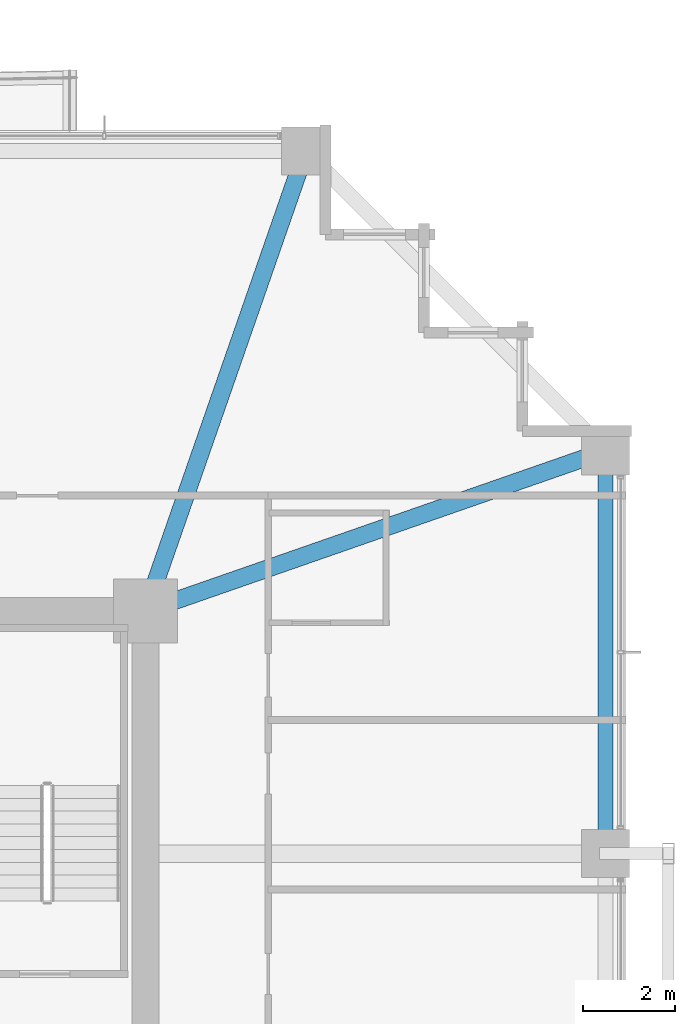
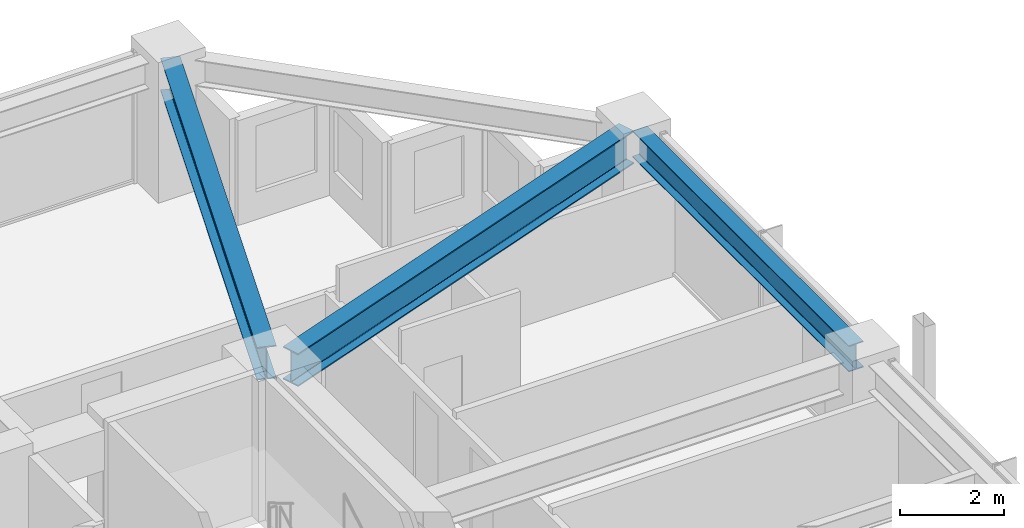
# One storey, part 24 of 38: 3 beams.
"""IFC4 building model written with IfcOpenShell, lengths in metres."""

from ifc_helpers import new_model, si_unit, direction, frame, origin, origin_2d, place, context, subcontext, project, spatial, i_section, extrude, material, material_profile, profile_set, type_object, element, save


model = new_model("IFC4")

# Units and contexts
model_context = context("Model", 3, precision=1e-05, world=origin(), true_north=direction((0.0, 1.0)))
body_context = subcontext(model_context, "Body", "Model", "MODEL_VIEW")
ifc_project = project(units=[si_unit("LENGTHUNIT", "METRE"), si_unit("AREAUNIT", "SQUARE_METRE"), si_unit("VOLUMEUNIT", "CUBIC_METRE"), si_unit("PLANEANGLEUNIT", "RADIAN"), si_unit("MASSUNIT", "GRAM", prefix="KILO")], contexts=[model_context])

# Site, building, storey
site_placement = place(None, origin())
site = spatial("IfcSite", under=ifc_project, at=site_placement, CompositionType="ELEMENT")
building_placement = place(site_placement, origin())
building = spatial("IfcBuilding", under=site, at=building_placement, Name="Kolvaren Belvedere", CompositionType="ELEMENT")
storey_placement = place(building_placement, frame((0.0, 0.0, 72.199951171875)))
storey = spatial("IfcBuildingStorey", under=building, at=storey_placement, Name="L20", CompositionType="ELEMENT", Elevation=72.199951171875)

# Beams
ifc_material_1 = material(Name="Structural steel ASTM A992 Grade 50", Category="steel")
ifc_material_profile_1 = material_profile(ifc_material_1, i_section(OverallWidth=0.381103515625, OverallDepth=0.77294921875, WebThickness=0.0166015625, FlangeThickness=0.027099609375, FilletRadius=0.02392578125, at=origin_2d()), Name="W30X173")
ifc_profile_set_1 = profile_set([ifc_material_profile_1], Name="Structural steel ASTM A992 Grade 50")
beam_type_1 = type_object("IfcBeamType", Name="BM-GIRD-W30X173", PredefinedType="BEAM", material=ifc_profile_set_1)
for number, where, z_axis, x_axis, name in (
    (1, (10.080810546875, 10.41943359375, 2.693603515625), (0.328880894453, 0.944371408538, 0.0), (-0.944371408538, 0.328880894453, 0.0), "L20 Corner Core-to-Perimeter Girder CC3-N4"),
    (2, (10.41943359375, 10.080810546875, 2.693603515625), (0.944371408538, 0.328880894453, 0.0), (-0.328880894453, 0.944371408538, 0.0), "L20 Corner Core-to-Perimeter Girder CC3-E4"),
):
    element("IfcBeam", number, at=place(storey_placement, frame(where, z_axis=z_axis, x_axis=x_axis)), inside=storey, type_object=beam_type_1, Name=name, PredefinedType="BEAM", context=body_context, shape_type="SweptSolid", body=[
        extrude(i_section(OverallWidth=0.381103515625, OverallDepth=0.77294921875, WebThickness=0.0166015625, FlangeThickness=0.027099609375, FilletRadius=0.02392578125, at=origin_2d()), origin(), (0.0, 0.0, 1.0), 9.882080078125),
    ])
ifc_material_2 = material(Name="Structural steel ASTM A992 Grade 50", Category="steel")
ifc_material_profile_2 = material_profile(ifc_material_2, i_section(OverallWidth=0.324951171875, OverallDepth=0.615966796875, WebThickness=0.013916015625, FlangeThickness=0.021484375, FilletRadius=0.02001953125, at=origin_2d()), Name="W24X117")
ifc_profile_set_2 = profile_set([ifc_material_profile_2], Name="Structural steel ASTM A992 Grade 50")
beam_type_2 = type_object("IfcBeamType", Name="BM-SPAN-W24X117", PredefinedType="SPANDREL", material=ifc_profile_set_2)
beam_placement = place(storey_placement, frame((19.949951171875, 4.836181640625, 2.77197265625), z_axis=(0.0, 1.0, 0.0), x_axis=(-1.0, 0.0, 0.0)))
element("IfcBeam", 3, at=beam_placement, inside=storey, type_object=beam_type_2, Name="L20 Perimeter Spandrel E3-E4", PredefinedType="SPANDREL", context=body_context, shape_type="SweptSolid", body=[
    extrude(i_section(OverallWidth=0.324951171875, OverallDepth=0.615966796875, WebThickness=0.013916015625, FlangeThickness=0.021484375, FilletRadius=0.02001953125, at=origin_2d()), origin(), (0.0, 0.0, 1.0), 8.32763671875),
])

save(model, "model.ifc")
